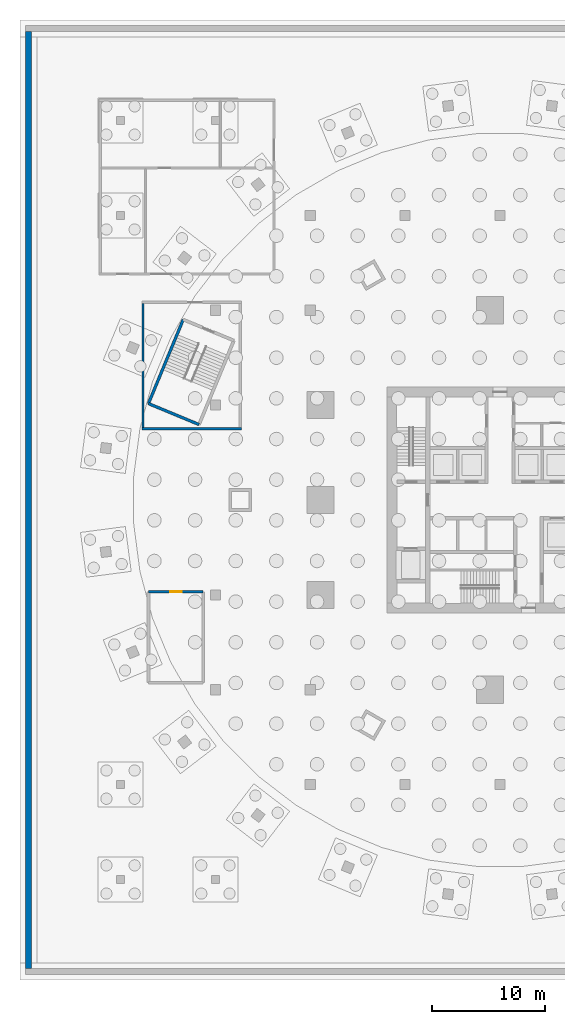
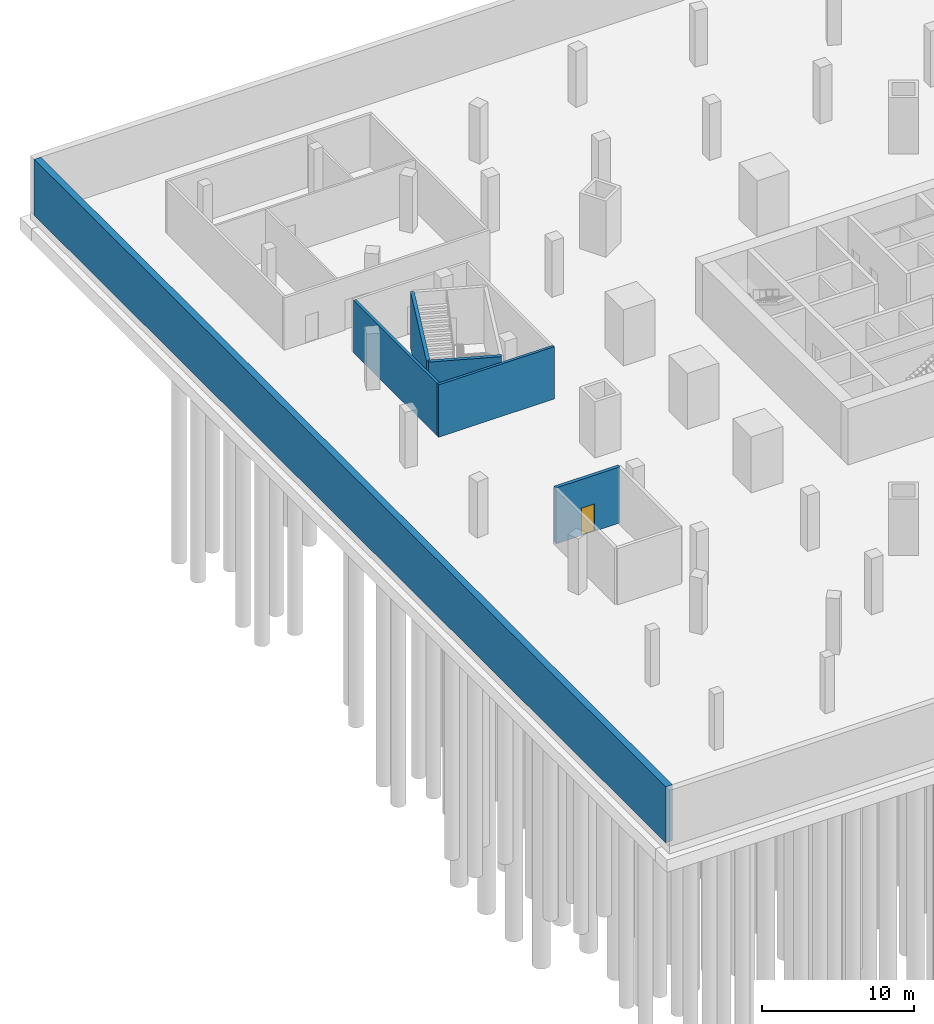
# One storey, part 4 of 12: 6 walls, 1 door, 1 opening.
"""IFC4 building model written with IfcOpenShell, lengths in metres."""

from ifc_helpers import new_model, si_unit, direction, frame, frame_2d, origin, place, context, subcontext, project, spatial, rectangle, extrude, material, layer, layer_set, type_object, element, fill, save


model = new_model("IFC4")

# Units and contexts
model_context = context("Model", 3, precision=1e-05, world=origin(), true_north=direction((0.0, 1.0)))
body_context = subcontext(model_context, "Body", "Model", "MODEL_VIEW")
ifc_project = project(units=[si_unit("LENGTHUNIT", "METRE"), si_unit("AREAUNIT", "SQUARE_METRE"), si_unit("VOLUMEUNIT", "CUBIC_METRE"), si_unit("PLANEANGLEUNIT", "RADIAN"), si_unit("MASSUNIT", "GRAM", prefix="KILO")], contexts=[model_context])

# Site, building, storey
site_placement = place(None, origin())
site = spatial("IfcSite", under=ifc_project, at=site_placement, CompositionType="ELEMENT")
building_placement = place(site_placement, origin())
building = spatial("IfcBuilding", under=site, at=building_placement, Name="Golbaran Civic Tower", CompositionType="ELEMENT")
storey_placement = place(building_placement, frame((0.0, 0.0, -13.5)))
storey = spatial("IfcBuildingStorey", under=building, at=storey_placement, Name="B3", CompositionType="ELEMENT", Elevation=-13.5)

# Walls
ifc_material_1 = material(Name="Concrete C50/60", Category="concrete")
ifc_layer_1 = layer(ifc_material_1, 0.5, Name="Concrete C50/60")
ifc_layer_set_1 = layer_set([ifc_layer_1], Name="Concrete C50/60")
wall_type_1 = type_object("IfcWallType", Name="BASEMENT RETAINING WALL CONCRETE 500", PredefinedType="SOLIDWALL", material=ifc_layer_set_1)
wall_1_placement = place(storey_placement, frame((-41.75, 41.5, 0.0), z_axis=(0.0, 0.0, 1.0), x_axis=(0.0, -1.0, 0.0)))
element("IfcWall", 1, at=wall_1_placement, inside=storey, type_object=wall_type_1, Name="Basement retaining wall W B3", PredefinedType="SOLIDWALL", context=body_context, shape_type="SweptSolid", body=[
    extrude(rectangle(XDim=83.0, YDim=0.5, at=frame_2d((41.5, 0.0))), origin(), (0.0, 0.0, 1.0), 4.5),
])
ifc_layer_2 = layer(ifc_material_1, 0.25, Name="Concrete C50/60")
ifc_layer_set_2 = layer_set([ifc_layer_2], Name="Concrete C50/60")
wall_type_2 = type_object("IfcWallType", Name="STAIR ENCLOSURE WALL CONCRETE 250", PredefinedType="SOLIDWALL", material=ifc_layer_set_2)
wall_2_placement = place(storey_placement, frame((-26.646728515625, 6.680908203125, 0.0), z_axis=(0.0, 0.0, 1.0), x_axis=(-0.923880627248, 0.382680789426, 0.0)))
element("IfcWall", 2, at=wall_2_placement, inside=storey, type_object=wall_type_2, Name="Stair P2 enclosure C B3", PredefinedType="SOLIDWALL", context=body_context, shape_type="SweptSolid", body=[
    extrude(rectangle(XDim=4.849853515625, YDim=0.25, at=frame_2d((2.4248046875, 0.0))), origin(), (0.0, 0.0, 1.0), 4.5),
])
wall_3_placement = place(storey_placement, frame((-31.12744140625, 8.536865234375, 0.0), z_axis=(0.0, 0.0, 1.0), x_axis=(0.382678572144, 0.923881545666, 0.0)))
element("IfcWall", 3, at=wall_3_placement, inside=storey, type_object=wall_type_2, Name="Stair P2 enclosure D B3", PredefinedType="SOLIDWALL", context=body_context, shape_type="SweptSolid", body=[
    extrude(rectangle(XDim=8.050048828125, YDim=0.25, at=frame_2d((4.02490234375, 0.0))), origin(), (0.0, 0.0, 1.0), 4.5),
])

# Wall, opening, door
wall_4_placement = place(storey_placement, frame((-31.125, -8.125, 0.0), z_axis=(0.0, 0.0, 1.0), x_axis=(1.0, 0.0, 0.0)))
wall_4 = element("IfcWall", 4, at=wall_4_placement, inside=storey, type_object=wall_type_2, Name="P3 enclosure A B3", PredefinedType="SOLIDWALL", context=body_context, shape_type="SweptSolid", body=[
    extrude(rectangle(XDim=4.85009765625, YDim=0.25, at=frame_2d((2.425048828125, 0.0))), origin(), (0.0, 0.0, 1.0), 4.5),
])
opening_placement = place(wall_4_placement, frame((1.925048828125, 0.0, 0.0)))
opening = element("IfcOpeningElement", 5, at=opening_placement, cuts=wall_4, Name="Opening B3.07", PredefinedType="OPENING", context=body_context, shape_type="SweptSolid", body=[
    extrude(rectangle(XDim=1.0, YDim=2.199951171875, at=frame_2d((0.5, 1.10009765625))), frame((0.0, 0.135009765625, 0.0), z_axis=(0.0, -1.0, 0.0), x_axis=(1.0, 0.0, 0.0)), (0.0, 0.0, 1.0), 0.27001953125),
])
ifc_material_2 = material(Name="Steel door set, fire-rated", Category="steel")
door_type = type_object("IfcDoorType", Name="BASEMENT ROOM DOOR 1000x2200", OperationType="SINGLE_SWING_LEFT", PredefinedType="DOOR", material=ifc_material_2)
door_placement = place(opening_placement, origin())
door = element("IfcDoor", 6, at=door_placement, inside=storey, type_object=door_type, Name="Sump Pump Room door B3", OperationType="SINGLE_SWING_LEFT", OverallHeight=2.199951171875, OverallWidth=1.0, PredefinedType="DOOR", context=body_context, shape_type="SweptSolid", body=[
    extrude(rectangle(XDim=1.0, YDim=2.199951171875, at=frame_2d((0.5, 1.10009765625))), frame((0.0, 0.02490234375, 0.0), z_axis=(0.0, -1.0, 0.0), x_axis=(1.0, 0.0, 0.0)), (0.0, 0.0, 1.0), 0.050048828125),
])
fill(opening, door)

# Walls
ifc_material_3 = material(Name="Reinforced blockwork, fire-rated", Category="masonry")
ifc_layer_3 = layer(ifc_material_3, 0.199951171875, Name="Reinforced blockwork, fire-rated")
ifc_layer_set_3 = layer_set([ifc_layer_3], Name="Reinforced blockwork, fire-rated")
wall_type_3 = type_object("IfcWallType", Name="STAIR LOBBY WALL 200", PredefinedType="PARTITIONING", material=ifc_layer_set_3)
wall_5_placement = place(storey_placement, frame((-31.699951171875, 6.300048828125, 0.0), z_axis=(0.0, 0.0, 1.0), x_axis=(1.0, 0.0, 0.0)))
element("IfcWall", 7, at=wall_5_placement, inside=storey, type_object=wall_type_3, Name="Stair P2 lobby wall B3", PredefinedType="PARTITIONING", context=body_context, shape_type="SweptSolid", body=[
    extrude(rectangle(XDim=8.800048828125, YDim=0.199951171875, at=frame_2d((4.39990234375, 0.0))), origin(), (0.0, 0.0, 1.0), 4.199951171875),
])
wall_6_placement = place(storey_placement, frame((-31.60009765625, 17.39990234375, 0.0), z_axis=(0.0, 0.0, 1.0), x_axis=(0.0, -1.0, 0.0)))
element("IfcWall", 8, at=wall_6_placement, inside=storey, type_object=wall_type_3, Name="Stair P2 lobby wall B3", PredefinedType="PARTITIONING", context=body_context, shape_type="SweptSolid", body=[
    extrude(rectangle(XDim=11.0, YDim=0.199951171875, at=frame_2d((5.5, 0.0))), origin(), (0.0, 0.0, 1.0), 4.199951171875),
])

save(model, "model.ifc")
